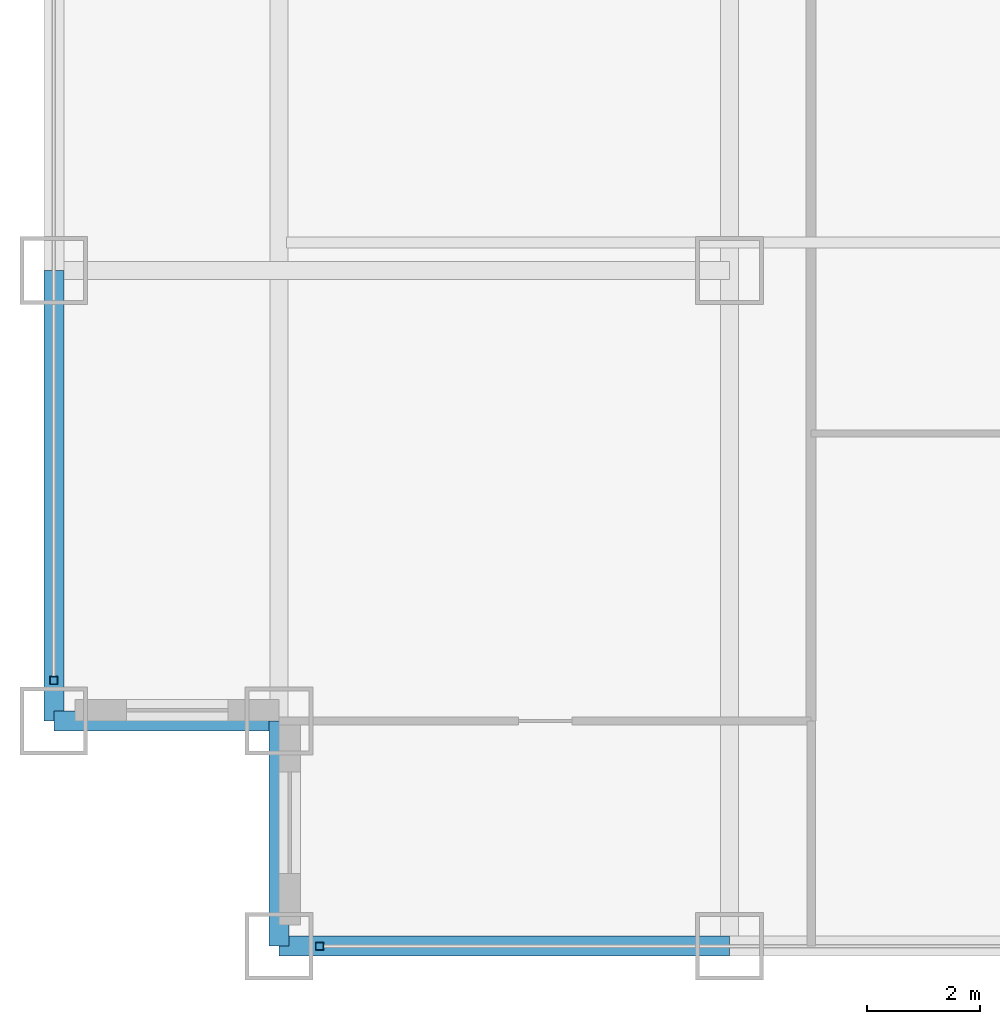
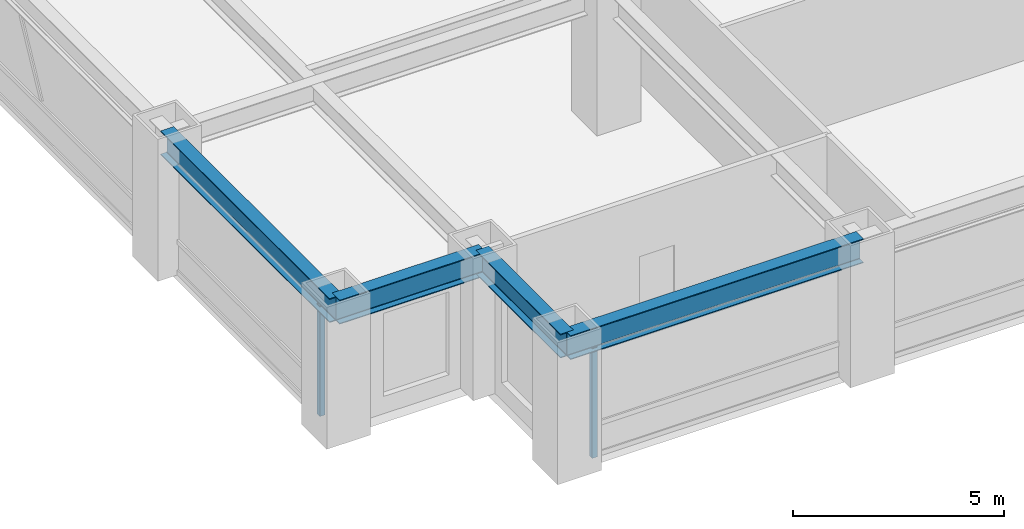
# One storey, part 2 of 28: 4 beams, 2 members, 2 elements without a shape of their own.
"""IFC4 building model written with IfcOpenShell, lengths in metres."""

from ifc_helpers import new_model, si_unit, direction, frame, origin, origin_2d, place, context, subcontext, project, spatial, hollow_rectangle, i_section, extrude, source, transform, mapped, material, material_profile, profile_set, type_object, element, aggregate, save


model = new_model("IFC4")

# Units and contexts
model_context = context("Model", 3, precision=1e-05, world=origin(), true_north=direction((0.0, 1.0)))
body_context = subcontext(model_context, "Body", "Model", "MODEL_VIEW")
ifc_project = project(units=[si_unit("LENGTHUNIT", "METRE"), si_unit("AREAUNIT", "SQUARE_METRE"), si_unit("VOLUMEUNIT", "CUBIC_METRE"), si_unit("PLANEANGLEUNIT", "RADIAN"), si_unit("MASSUNIT", "GRAM", prefix="KILO")], contexts=[model_context])

# Site, building, storey
site_placement = place(None, origin())
site = spatial("IfcSite", under=ifc_project, at=site_placement, CompositionType="ELEMENT")
building_placement = place(site_placement, origin())
building = spatial("IfcBuilding", under=site, at=building_placement, Name="Khorayat Bourse Tower", CompositionType="ELEMENT")
storey_placement = place(building_placement, frame((0.0, 0.0, 116.0)))
storey = spatial("IfcBuildingStorey", under=building, at=storey_placement, Name="L26", CompositionType="ELEMENT", Elevation=116.0)

# Beams
ifc_material_1 = material(Name="Steel ASTM A992 Grade 50", Category="steel")
ifc_material_profile_1 = material_profile(ifc_material_1, i_section(OverallWidth=0.35498046875, OverallDepth=0.695068359375, WebThickness=0.015380859375, FlangeThickness=0.02490234375, FilletRadius=0.01806640625, at=origin_2d()), Name="W690X217")
ifc_profile_set_1 = profile_set([ifc_material_profile_1], Name="Steel ASTM A992 Grade 50")
beam_type = type_object("IfcBeamType", Name="BM-SPAN-690", PredefinedType="SPANDREL", material=ifc_profile_set_1)
shared_shape_1 = source(origin(), body_context, "Body", "SweptSolid", [
    extrude(i_section(OverallWidth=0.35498046875, OverallDepth=0.695068359375, WebThickness=0.015380859375, FlangeThickness=0.02490234375, FilletRadius=0.01806640625, at=origin_2d()), origin(), (0.0, 0.0, 1.0), 8.0),
])
for number, where, z_axis, x_axis, name in (
    (1, (-28.0, -32.0, 3.492431640625), (1.0, 0.0, 0.0), (0.0, 1.0, 0.0), "L26 BM-SPAN-690 BM-L26-SPN-024"),
    (2, (-32.0, -28.0, 3.492431640625), (0.0, 1.0, 0.0), (-1.0, 0.0, 0.0), "L26 BM-SPAN-690 BM-L26-SPN-061"),
):
    element("IfcBeam", number, at=place(storey_placement, frame(where, z_axis=z_axis, x_axis=x_axis)), inside=storey, type_object=beam_type, Name=name, PredefinedType="SPANDREL", context=body_context, shape_type="MappedRepresentation", body=[
        mapped(shared_shape_1, transform((0.0, 0.0, 0.0), scale=1.0)),
    ])
shared_shape_2 = source(origin(), body_context, "Body", "SweptSolid", [
    extrude(i_section(OverallWidth=0.35498046875, OverallDepth=0.695068359375, WebThickness=0.015380859375, FlangeThickness=0.02490234375, FilletRadius=0.01806640625, at=origin_2d()), origin(), (0.0, 0.0, 1.0), 4.0),
])
for number, where, z_axis, x_axis, name in (
    (3, (-32.0, -28.0, 3.492431640625), (1.0, 0.0, 0.0), (0.0, 1.0, 0.0), "L26 BM-SPAN-690 BM-L26-SPN-062"),
    (4, (-28.0, -32.0, 3.492431640625), (0.0, 1.0, 0.0), (-1.0, 0.0, 0.0), "L26 BM-SPAN-690 BM-L26-SPN-063"),
):
    element("IfcBeam", number, at=place(storey_placement, frame(where, z_axis=z_axis, x_axis=x_axis)), inside=storey, type_object=beam_type, Name=name, PredefinedType="SPANDREL", context=body_context, shape_type="MappedRepresentation", body=[
        mapped(shared_shape_2, transform((0.0, 0.0, 0.0), scale=1.0)),
    ])

# Curtain wall, member
ifc_material_2 = material(Name="Aluminium EN AW-6063 T6", Category="aluminium")
curtain_wall_type = type_object("IfcCurtainWallType", Name="CW-SYS-02", PredefinedType="NOTDEFINED", material=ifc_material_2)
curtain_wall_1_placement = place(storey_placement, origin())
curtain_wall_1 = element("IfcCurtainWall", 5, at=curtain_wall_1_placement, inside=storey, type_object=curtain_wall_type, Name="L26 Curtain Wall CW-L26-S1", PredefinedType="NOTDEFINED")
ifc_material_profile_2 = material_profile(ifc_material_2, hollow_rectangle(XDim=0.139892578125, YDim=0.139892578125, WallThickness=0.006103515625, at=origin_2d()), Name="ALU 140x140x6")
ifc_profile_set_2 = profile_set([ifc_material_profile_2], Name="Aluminium EN AW-6063 T6")
member_type = type_object("IfcMemberType", Name="CWM-VERT-140", PredefinedType="MULLION", material=ifc_profile_set_2)
shared_shape_3 = source(origin(), body_context, "Body", "SweptSolid", [
    extrude(hollow_rectangle(XDim=0.139892578125, YDim=0.139892578125, WallThickness=0.006103515625, at=origin_2d()), origin(), (0.0, 0.0, 1.0), 3.18994140625),
])
member_1_placement = place(storey_placement, frame((-27.280029296875, -32.0, 0.0), z_axis=(0.0, 0.0, 1.0), x_axis=(0.0, 1.0, 0.0)))
member_1 = element("IfcMember", 6, at=member_1_placement, type_object=member_type, Name="CW-L26-S1 Vertical Mullion 1", PredefinedType="MULLION", context=body_context, shape_type="MappedRepresentation", body=[
    mapped(shared_shape_3, transform((0.0, 0.0, 0.0), scale=1.0)),
])
aggregate(curtain_wall_1, [member_1])

curtain_wall_2_placement = place(storey_placement, origin())
curtain_wall_2 = element("IfcCurtainWall", 7, at=curtain_wall_2_placement, inside=storey, type_object=curtain_wall_type, Name="L26 Curtain Wall CW-L26-W1", PredefinedType="NOTDEFINED")
member_2_placement = place(storey_placement, frame((-32.0, -27.280029296875, 0.0), z_axis=(0.0, 0.0, 1.0), x_axis=(-1.0, 0.0, 0.0)))
member_2 = element("IfcMember", 8, at=member_2_placement, type_object=member_type, Name="CW-L26-W1 Vertical Mullion 1", PredefinedType="MULLION", context=body_context, shape_type="MappedRepresentation", body=[
    mapped(shared_shape_3, transform((0.0, 0.0, 0.0), scale=1.0)),
])
aggregate(curtain_wall_2, [member_2])

save(model, "model.ifc")
